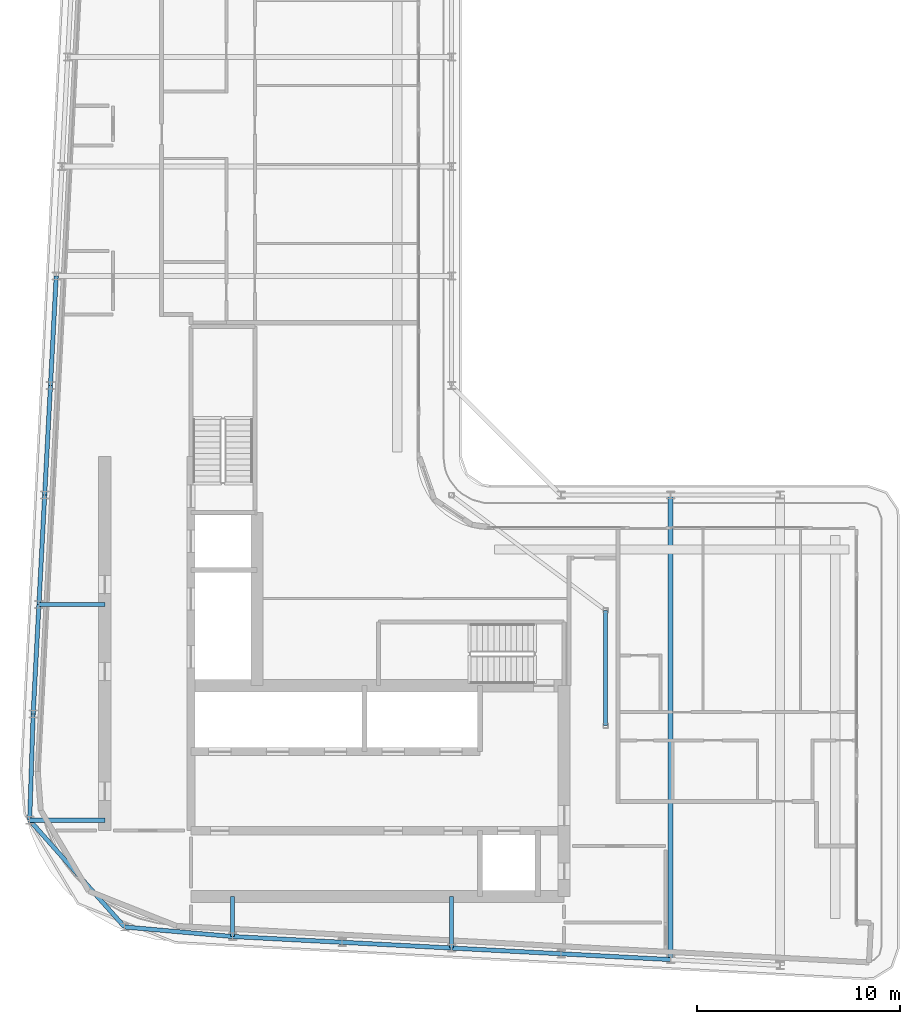
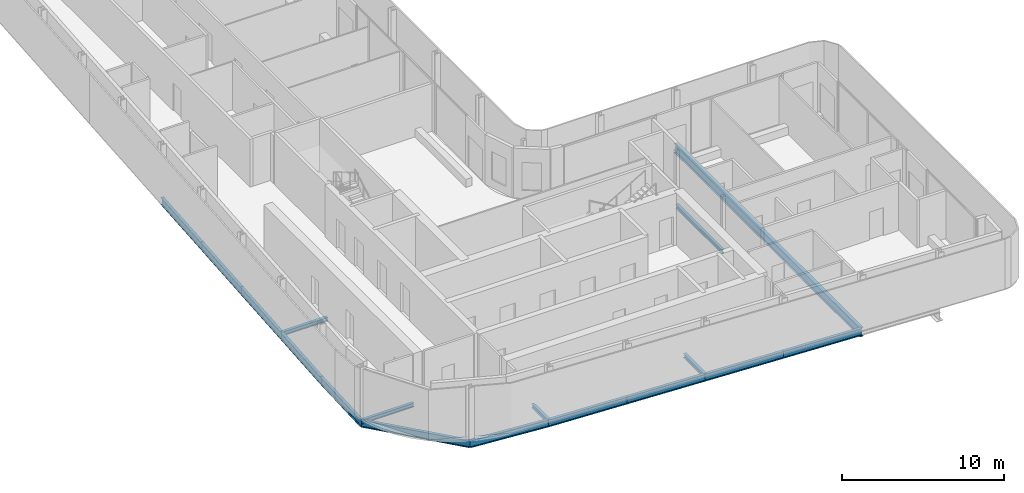
# One storey, part 5 of 21: 17 beams.
"""IFC4 building model written with IfcOpenShell, lengths in metres."""

from ifc_helpers import new_model, si_unit, direction, frame, origin, origin_2d, place, context, subcontext, project, spatial, i_section, extrude, material, material_profile, profile_set, type_object, element, save


model = new_model("IFC4")

# Units and contexts
model_context = context("Model", 3, precision=1e-05, world=origin(), true_north=direction((0.0, 1.0)))
body_context = subcontext(model_context, "Body", "Model", "MODEL_VIEW")
ifc_project = project(units=[si_unit("LENGTHUNIT", "METRE"), si_unit("AREAUNIT", "SQUARE_METRE"), si_unit("VOLUMEUNIT", "CUBIC_METRE"), si_unit("PLANEANGLEUNIT", "RADIAN"), si_unit("MASSUNIT", "GRAM", prefix="KILO")], contexts=[model_context])

# Site, building, storey
site_placement = place(None, origin())
site = spatial("IfcSite", under=ifc_project, at=site_placement, CompositionType="ELEMENT")
building_placement = place(site_placement, origin())
building = spatial("IfcBuilding", under=site, at=building_placement, Name="Kheshtan School and Residences Tower", CompositionType="ELEMENT")
storey_placement = place(building_placement, frame((0.0, 0.0, 317.60009765625)))
storey = spatial("IfcBuildingStorey", under=building, at=storey_placement, Name="L75", CompositionType="ELEMENT", Elevation=317.60009765625)

# Beams
ifc_material = material(Name="Steel ASTM A992 Grade 50", Category="steel")
ifc_material_profile_1 = material_profile(ifc_material, i_section(OverallWidth=0.202880859375, OverallDepth=0.302978515625, WebThickness=0.007568359375, FlangeThickness=0.01318359375, FilletRadius=0.009033203125, at=origin_2d()), Name="W310x60")
ifc_profile_set_1 = profile_set([ifc_material_profile_1], Name="Steel ASTM A992 Grade 50")
beam_type_1 = type_object("IfcBeamType", Name="Beam FB1 W310x60 ASTM A992 Grade 50", PredefinedType="BEAM", material=ifc_profile_set_1)
beam_1_placement = place(storey_placement, frame((47.60009765625, 23.263916015625, -0.301513671875), z_axis=(0.0, 1.0, 0.0), x_axis=(-1.0, 0.0, 0.0)))
element("IfcBeam", 1, at=beam_1_placement, inside=storey, type_object=beam_type_1, Name="Floor beam C020", PredefinedType="BEAM", context=body_context, shape_type="SweptSolid", body=[
    extrude(i_section(OverallWidth=0.202880859375, OverallDepth=0.302978515625, WebThickness=0.007568359375, FlangeThickness=0.01318359375, FilletRadius=0.009033203125, at=origin_2d()), origin(), (0.0, 0.0, 1.0), 2.5361328125),
])
beam_2_placement = place(storey_placement, frame((36.800048828125, 23.83203125, -0.301513671875), z_axis=(0.0, 1.0, 0.0), x_axis=(-1.0, 0.0, 0.0)))
element("IfcBeam", 2, at=beam_2_placement, inside=storey, type_object=beam_type_1, Name="Floor beam C022", PredefinedType="BEAM", context=body_context, shape_type="SweptSolid", body=[
    extrude(i_section(OverallWidth=0.202880859375, OverallDepth=0.302978515625, WebThickness=0.007568359375, FlangeThickness=0.01318359375, FilletRadius=0.009033203125, at=origin_2d()), origin(), (0.0, 0.0, 1.0), 1.968017578125),
])
beam_3_placement = place(storey_placement, frame((26.797119140625, 29.56591796875, -0.301513671875), z_axis=(1.0, 0.0, 0.0), x_axis=(0.0, 1.0, 0.0)))
element("IfcBeam", 3, at=beam_3_placement, inside=storey, type_object=beam_type_1, Name="Floor beam C044", PredefinedType="BEAM", context=body_context, shape_type="SweptSolid", body=[
    extrude(i_section(OverallWidth=0.202880859375, OverallDepth=0.302978515625, WebThickness=0.007568359375, FlangeThickness=0.01318359375, FilletRadius=0.009033203125, at=origin_2d()), origin(), (0.0, 0.0, 1.0), 3.702880859375),
])
beam_4_placement = place(storey_placement, frame((27.2529296875, 40.199951171875, -0.301513671875), z_axis=(1.0, 0.0, 0.0), x_axis=(0.0, 1.0, 0.0)))
element("IfcBeam", 4, at=beam_4_placement, inside=storey, type_object=beam_type_1, Name="Floor beam C056", PredefinedType="BEAM", context=body_context, shape_type="SweptSolid", body=[
    extrude(i_section(OverallWidth=0.202880859375, OverallDepth=0.302978515625, WebThickness=0.007568359375, FlangeThickness=0.01318359375, FilletRadius=0.009033203125, at=origin_2d()), origin(), (0.0, 0.0, 1.0), 3.2470703125),
])
beam_5_placement = place(storey_placement, frame((55.199951171875, 34.23193359375, -0.301513671875), z_axis=(0.0, 1.0, 0.0), x_axis=(-1.0, 0.0, 0.0)))
element("IfcBeam", 5, at=beam_5_placement, inside=storey, type_object=beam_type_1, Name="Floor beam IC", PredefinedType="BEAM", context=body_context, shape_type="SweptSolid", body=[
    extrude(i_section(OverallWidth=0.202880859375, OverallDepth=0.302978515625, WebThickness=0.007568359375, FlangeThickness=0.01318359375, FilletRadius=0.009033203125, at=origin_2d()), origin(), (0.0, 0.0, 1.0), 5.68408203125),
])
ifc_material_profile_2 = material_profile(ifc_material, i_section(OverallWidth=0.2529296875, OverallDepth=0.677978515625, WebThickness=0.01171875, FlangeThickness=0.016357421875, FilletRadius=0.0146484375, at=origin_2d()), Name="W690x125")
ifc_profile_set_2 = profile_set([ifc_material_profile_2], Name="Steel ASTM A992 Grade 50")
beam_type_2 = type_object("IfcBeamType", Name="Beam FB6 W690x125 ASTM A992 Grade 50", PredefinedType="BEAM", material=ifc_profile_set_2)
beam_6_placement = place(storey_placement, frame((58.39990234375, 22.695068359375, -0.489013671875), z_axis=(0.0, 1.0, 0.0), x_axis=(-1.0, 0.0, 0.0)))
element("IfcBeam", 6, at=beam_6_placement, inside=storey, type_object=beam_type_2, Name="Floor beam C018", PredefinedType="BEAM", context=body_context, shape_type="SweptSolid", body=[
    extrude(i_section(OverallWidth=0.2529296875, OverallDepth=0.677978515625, WebThickness=0.01171875, FlangeThickness=0.016357421875, FilletRadius=0.0146484375, at=origin_2d()), origin(), (0.0, 0.0, 1.0), 22.905029296875),
])
ifc_material_profile_3 = material_profile(ifc_material, i_section(OverallWidth=0.208984375, OverallDepth=0.532958984375, WebThickness=0.01025390625, FlangeThickness=0.015625, FilletRadius=0.013916015625, at=origin_2d()), Name="W530x92")
ifc_profile_set_3 = profile_set([ifc_material_profile_3], Name="Steel ASTM A992 Grade 50")
beam_type_3 = type_object("IfcBeamType", Name="Beam SP3 W530x92 ASTM A992 Grade 50", PredefinedType="BEAM", material=ifc_profile_set_3)
for number, where, z_axis, x_axis, name in (
    (7, (58.39990234375, 22.695068359375, -0.41650390625), (-0.998610961136, 0.052689166816, 0.0), (-0.052689166816, -0.998610961136, 0.0), "Spandrel beam C018-C019"),
    (8, (53.0, 22.97998046875, -0.41650390625), (-0.998620447272, 0.05250906864, 0.0), (-0.05250906864, -0.998620447272, 0.0), "Spandrel beam C019-C020"),
):
    element("IfcBeam", number, at=place(storey_placement, frame(where, z_axis=z_axis, x_axis=x_axis)), inside=storey, type_object=beam_type_3, Name=name, PredefinedType="BEAM", context=body_context, shape_type="SweptSolid", body=[
        extrude(i_section(OverallWidth=0.208984375, OverallDepth=0.532958984375, WebThickness=0.01025390625, FlangeThickness=0.015625, FilletRadius=0.013916015625, at=origin_2d()), origin(), (0.0, 0.0, 1.0), 5.407470703125),
    ])
beam_7_placement = place(storey_placement, frame((47.60009765625, 23.263916015625, -0.41650390625), z_axis=(-0.998618203458, 0.052551724256, 0.0), x_axis=(-0.052551724256, -0.998618203458, 0.0)))
element("IfcBeam", 9, at=beam_7_placement, inside=storey, type_object=beam_type_3, Name="Spandrel beam C020-C021", PredefinedType="BEAM", context=body_context, shape_type="SweptSolid", body=[
    extrude(i_section(OverallWidth=0.208984375, OverallDepth=0.532958984375, WebThickness=0.01025390625, FlangeThickness=0.015625, FilletRadius=0.013916015625, at=origin_2d()), origin(), (0.0, 0.0, 1.0), 5.40771484375),
])
beam_8_placement = place(storey_placement, frame((42.199951171875, 23.548095703125, -0.41650390625), z_axis=(-0.998620447272, 0.05250906864, 0.0), x_axis=(-0.05250906864, -0.998620447272, 0.0)))
element("IfcBeam", 10, at=beam_8_placement, inside=storey, type_object=beam_type_3, Name="Spandrel beam C021-C022", PredefinedType="BEAM", context=body_context, shape_type="SweptSolid", body=[
    extrude(i_section(OverallWidth=0.208984375, OverallDepth=0.532958984375, WebThickness=0.01025390625, FlangeThickness=0.015625, FilletRadius=0.013916015625, at=origin_2d()), origin(), (0.0, 0.0, 1.0), 5.407470703125),
])
beam_9_placement = place(storey_placement, frame((36.800048828125, 23.83203125, -0.41650390625), z_axis=(-0.996129262073, 0.087900473504, 0.0), x_axis=(-0.087900473504, -0.996129262073, 0.0)))
element("IfcBeam", 11, at=beam_9_placement, inside=storey, type_object=beam_type_3, Name="Spandrel beam C022-C031", PredefinedType="BEAM", context=body_context, shape_type="SweptSolid", body=[
    extrude(i_section(OverallWidth=0.208984375, OverallDepth=0.532958984375, WebThickness=0.01025390625, FlangeThickness=0.015625, FilletRadius=0.013916015625, at=origin_2d()), origin(), (0.0, 0.0, 1.0), 5.3466796875),
])
beam_10_placement = place(storey_placement, frame((31.47412109375, 24.302001953125, -0.41650390625), z_axis=(-0.664202421408, 0.747552769639, 0.0), x_axis=(-0.747552769639, -0.664202421408, 0.0)))
element("IfcBeam", 12, at=beam_10_placement, inside=storey, type_object=beam_type_3, Name="Spandrel beam C031-C044", PredefinedType="BEAM", context=body_context, shape_type="SweptSolid", body=[
    extrude(i_section(OverallWidth=0.208984375, OverallDepth=0.532958984375, WebThickness=0.01025390625, FlangeThickness=0.015625, FilletRadius=0.013916015625, at=origin_2d()), origin(), (0.0, 0.0, 1.0), 7.04150390625),
])
beam_11_placement = place(storey_placement, frame((26.797119140625, 29.56591796875, -0.41650390625), z_axis=(0.032819662671, 0.999461289767, 0.0), x_axis=(-0.999461289767, 0.032819662671, 0.0)))
element("IfcBeam", 13, at=beam_11_placement, inside=storey, type_object=beam_type_3, Name="Spandrel beam C044-C052", PredefinedType="BEAM", context=body_context, shape_type="SweptSolid", body=[
    extrude(i_section(OverallWidth=0.208984375, OverallDepth=0.532958984375, WebThickness=0.01025390625, FlangeThickness=0.015625, FilletRadius=0.013916015625, at=origin_2d()), origin(), (0.0, 0.0, 1.0), 5.237060546875),
])
beam_12_placement = place(storey_placement, frame((26.968994140625, 34.800048828125, -0.41650390625), z_axis=(0.05250906864, 0.998620447272, 0.0), x_axis=(-0.998620447272, 0.05250906864, 0.0)))
element("IfcBeam", 14, at=beam_12_placement, inside=storey, type_object=beam_type_3, Name="Spandrel beam C052-C056", PredefinedType="BEAM", context=body_context, shape_type="SweptSolid", body=[
    extrude(i_section(OverallWidth=0.208984375, OverallDepth=0.532958984375, WebThickness=0.01025390625, FlangeThickness=0.015625, FilletRadius=0.013916015625, at=origin_2d()), origin(), (0.0, 0.0, 1.0), 5.407470703125),
])
beam_13_placement = place(storey_placement, frame((27.2529296875, 40.199951171875, -0.41650390625), z_axis=(0.052551724256, 0.998618203458, 0.0), x_axis=(-0.998618203458, 0.052551724256, 0.0)))
element("IfcBeam", 15, at=beam_13_placement, inside=storey, type_object=beam_type_3, Name="Spandrel beam C056-C059", PredefinedType="BEAM", context=body_context, shape_type="SweptSolid", body=[
    extrude(i_section(OverallWidth=0.208984375, OverallDepth=0.532958984375, WebThickness=0.01025390625, FlangeThickness=0.015625, FilletRadius=0.013916015625, at=origin_2d()), origin(), (0.0, 0.0, 1.0), 5.40771484375),
])
for number, where, z_axis, x_axis, name in (
    (16, (27.537109375, 45.60009765625, -0.41650390625), (0.052689166816, 0.998610961136, 0.0), (-0.998610961136, 0.052689166816, 0.0), "Spandrel beam C059-C078"),
    (17, (27.822021484375, 51.0, -0.41650390625), (0.05250906864, 0.998620447272, 0.0), (-0.998620447272, 0.05250906864, 0.0), "Spandrel beam C078-C080"),
):
    element("IfcBeam", number, at=place(storey_placement, frame(where, z_axis=z_axis, x_axis=x_axis)), inside=storey, type_object=beam_type_3, Name=name, PredefinedType="BEAM", context=body_context, shape_type="SweptSolid", body=[
        extrude(i_section(OverallWidth=0.208984375, OverallDepth=0.532958984375, WebThickness=0.01025390625, FlangeThickness=0.015625, FilletRadius=0.013916015625, at=origin_2d()), origin(), (0.0, 0.0, 1.0), 5.407470703125),
    ])

save(model, "model.ifc")
